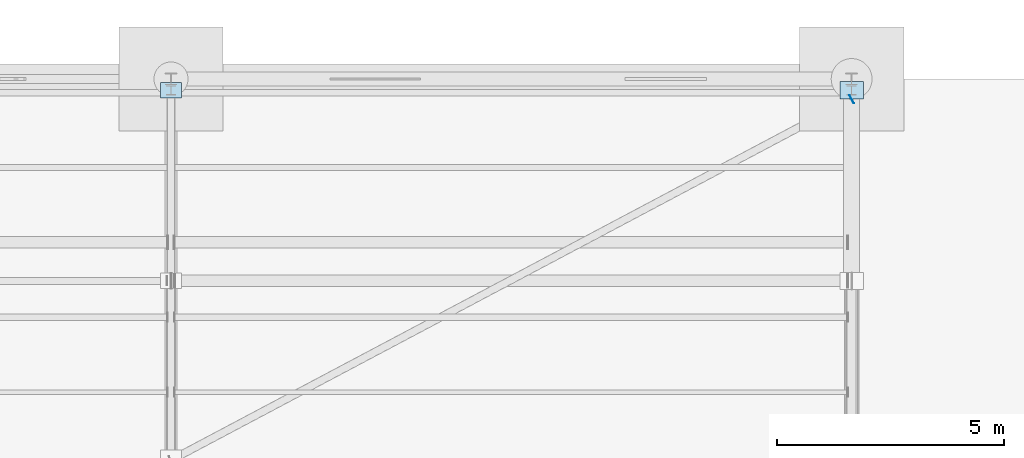
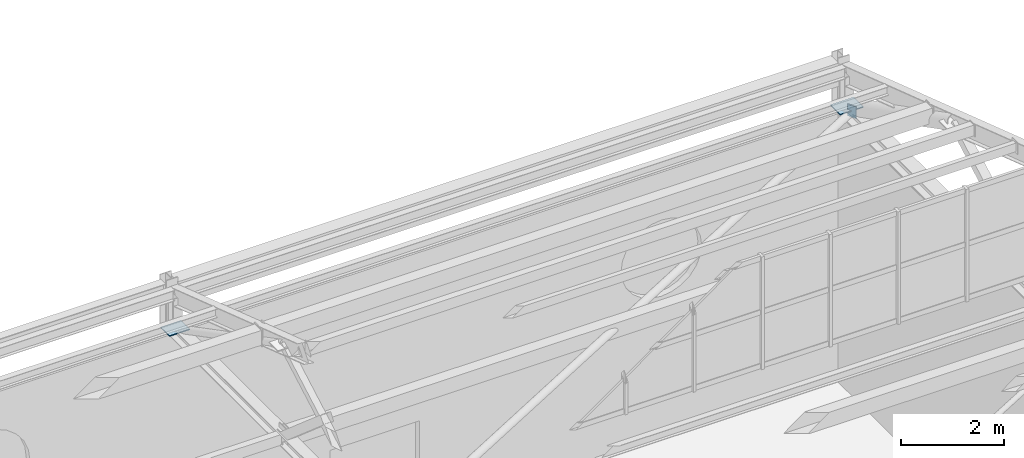
# One storey, part 241 of 285: 3 plates.
"""IFC4 building model written with IfcOpenShell, lengths in metres."""

from ifc_helpers import new_model, si_unit, direction, frame, origin, origin_2d, place, context, subcontext, project, spatial, rectangle, extrude, material, layer, layer_set, type_object, element, save


model = new_model("IFC4")

# Units and contexts
model_context = context("Model", 3, precision=1e-05, world=origin(), true_north=direction((0.0, 1.0)))
body_context = subcontext(model_context, "Body", "Model", "MODEL_VIEW")
ifc_project = project(units=[si_unit("LENGTHUNIT", "METRE"), si_unit("AREAUNIT", "SQUARE_METRE"), si_unit("VOLUMEUNIT", "CUBIC_METRE"), si_unit("PLANEANGLEUNIT", "RADIAN"), si_unit("MASSUNIT", "GRAM", prefix="KILO")], contexts=[model_context])

# Site, building, storey
site_placement = place(None, origin())
site = spatial("IfcSite", under=ifc_project, at=site_placement, CompositionType="ELEMENT")
building_placement = place(site_placement, origin())
building = spatial("IfcBuilding", under=site, at=building_placement, Name="Solanera Park Tramway Depot", CompositionType="ELEMENT")
storey_placement = place(building_placement, origin())
storey = spatial("IfcBuildingStorey", under=building, at=storey_placement, Name="L00", CompositionType="ELEMENT", Elevation=0.0)

# Plates
ifc_material_1 = material(Name="Steel AS/NZS 3679.1 Grade 350", Category="steel")
ifc_layer_1 = layer(ifc_material_1, 0.013916015625)
ifc_layer_set_1 = layer_set([ifc_layer_1], Name="Steel AS/NZS 3679.1 Grade 350")
plate_type_1 = type_object("IfcPlateType", Name="Hollow End Cap and Base Plate 280x200x14", PredefinedType="USERDEFINED", material=ifc_layer_set_1)
plate_1_placement = place(storey_placement, frame((60.000732421875, 143.551513671875, 6.35986328125), z_axis=(0.0, 0.0, 1.0), x_axis=(0.883520501477, 0.468392488698, 0.0)))
element("IfcPlate", 1, at=plate_1_placement, inside=storey, type_object=plate_type_1, Name="Hollow Section Welded End Cap Plate #1097", ObjectType="BASE PLATE", PredefinedType="USERDEFINED", context=body_context, shape_type="SweptSolid", body=[
    extrude(rectangle(XDim=0.013916015625, YDim=0.199951171875, at=origin_2d()), origin(), (0.0, 0.0, 1.0), 0.280029296875),
])
ifc_material_2 = material(Name="Steel AS/NZS 3679.1 Grade 350", Category="steel")
ifc_layer_2 = layer(ifc_material_2, 0.02197265625)
ifc_layer_set_2 = layer_set([ifc_layer_2], Name="Steel AS/NZS 3679.1 Grade 350")
plate_type_2 = type_object("IfcPlateType", Name="Hollow End Cap and Base Plate 460x340x22", PredefinedType="USERDEFINED", material=ifc_layer_set_2)
plate_2_placement = place(storey_placement, frame((45.0, 143.75, 6.489013671875), z_axis=(0.0, 0.0, 1.0), x_axis=(1.0, 0.0, 0.0)))
element("IfcPlate", 2, at=plate_2_placement, inside=storey, type_object=plate_type_2, Name="Sawtooth Truss Node Cap Plate #1014", ObjectType="BASE PLATE", PredefinedType="USERDEFINED", context=body_context, shape_type="SweptSolid", body=[
    extrude(rectangle(XDim=0.4599609375, YDim=0.340087890625, at=origin_2d()), origin(), (0.0, 0.0, 1.0), 0.02197265625),
])
ifc_material_3 = material(Name="Steel AS/NZS 3679.1 Grade 350", Category="steel")
ifc_layer_3 = layer(ifc_material_3, 0.02490234375)
ifc_layer_set_3 = layer_set([ifc_layer_3], Name="Steel AS/NZS 3679.1 Grade 350")
plate_type_3 = type_object("IfcPlateType", Name="Hollow End Cap and Base Plate 520x380x25", PredefinedType="USERDEFINED", material=ifc_layer_set_3)
plate_3_placement = place(storey_placement, frame((60.0, 143.75, 6.487548828125), z_axis=(0.0, 0.0, 1.0), x_axis=(1.0, 0.0, 0.0)))
element("IfcPlate", 3, at=plate_3_placement, inside=storey, type_object=plate_type_3, Name="Sawtooth Truss Node Cap Plate #1019", ObjectType="BASE PLATE", PredefinedType="USERDEFINED", context=body_context, shape_type="SweptSolid", body=[
    extrude(rectangle(XDim=0.52001953125, YDim=0.3798828125, at=origin_2d()), origin(), (0.0, 0.0, 1.0), 0.02490234375),
])

save(model, "model.ifc")
